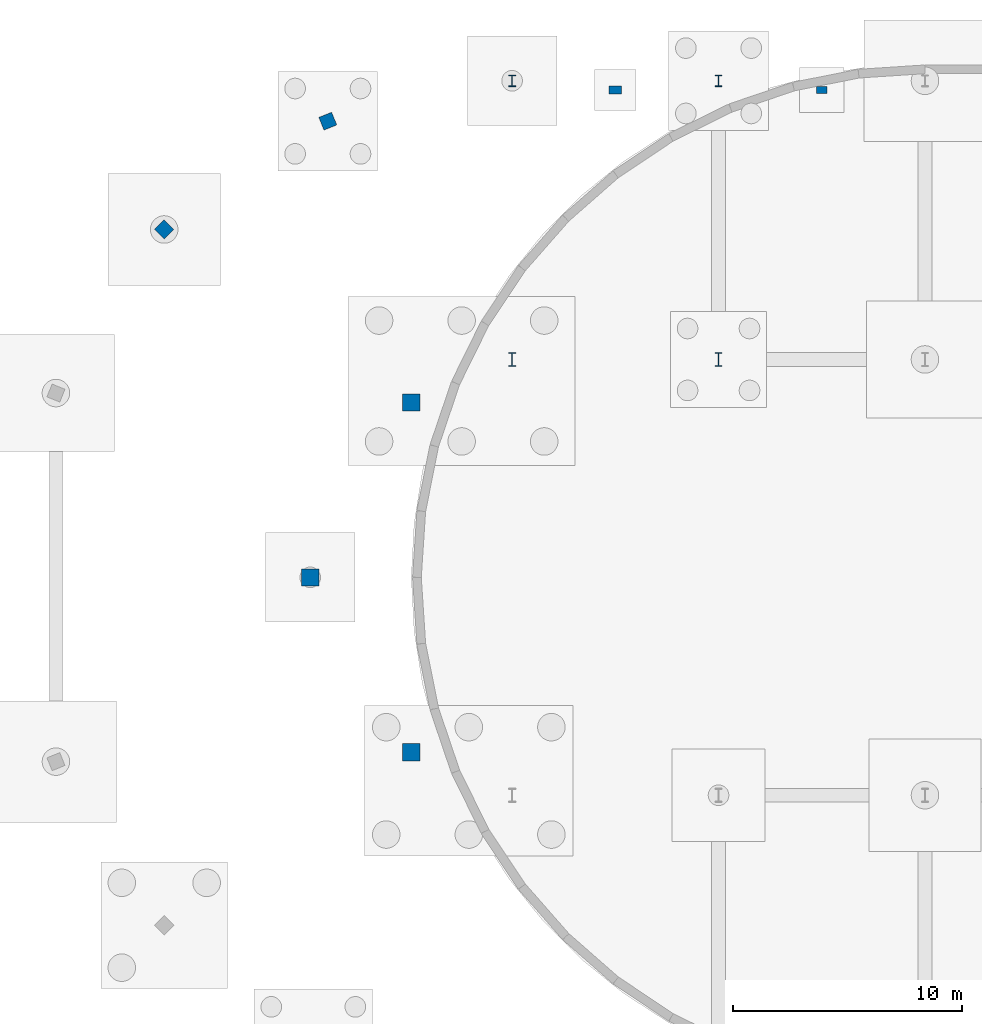
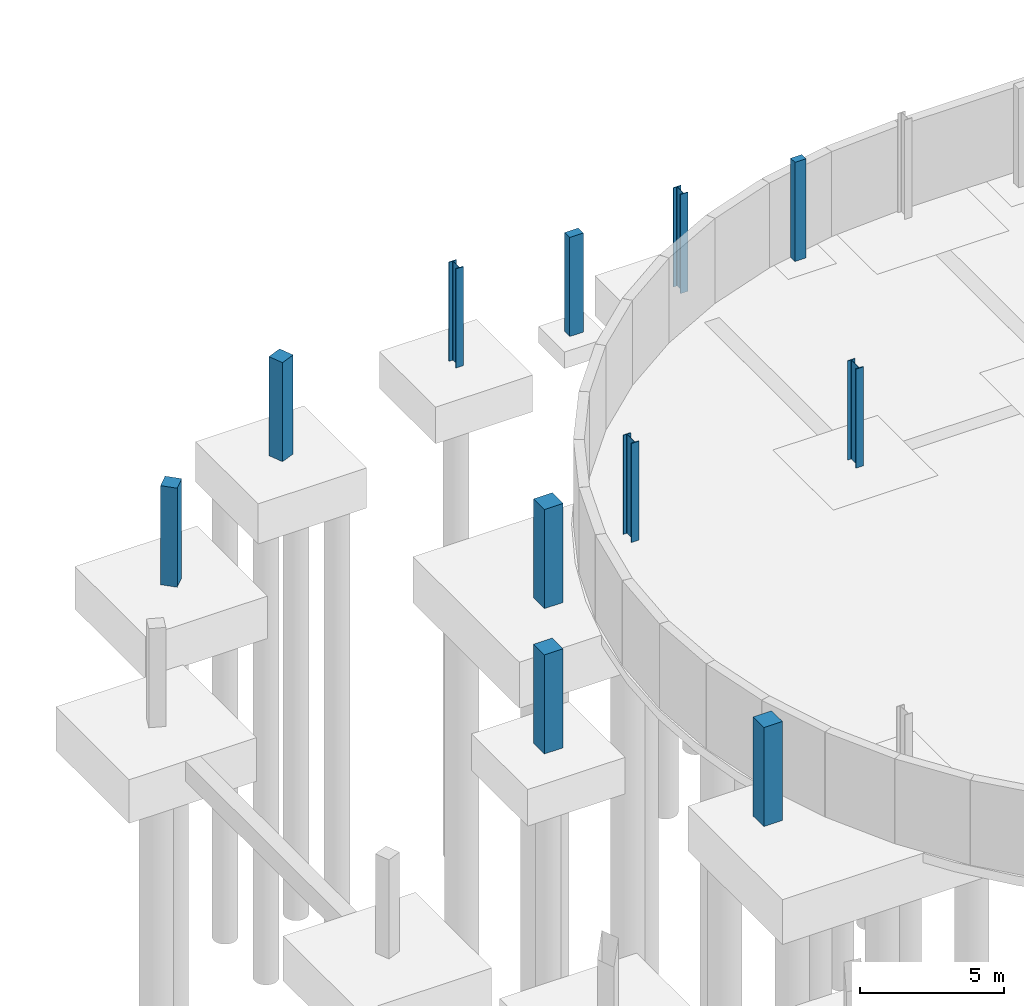
# One storey, part 19 of 42: 11 columns.
"""IFC4 building model written with IfcOpenShell, lengths in metres."""

from ifc_helpers import new_model, si_unit, direction, frame, origin, origin_2d, place, context, subcontext, project, spatial, rectangle, i_section, extrude, material, material_profile, profile_set, type_object, element, save


model = new_model("IFC4")

# Units and contexts
model_context = context("Model", 3, precision=1e-05, world=origin(), true_north=direction((0.0, 1.0)))
body_context = subcontext(model_context, "Body", "Model", "MODEL_VIEW")
ifc_project = project(units=[si_unit("LENGTHUNIT", "METRE"), si_unit("AREAUNIT", "SQUARE_METRE"), si_unit("VOLUMEUNIT", "CUBIC_METRE"), si_unit("PLANEANGLEUNIT", "RADIAN"), si_unit("MASSUNIT", "GRAM", prefix="KILO")], contexts=[model_context])

# Site, building, storey
site_placement = place(None, origin())
site = spatial("IfcSite", under=ifc_project, at=site_placement, CompositionType="ELEMENT")
building_placement = place(site_placement, origin())
building = spatial("IfcBuilding", under=site, at=building_placement, Name="Deido Ridge Mobility Hub", CompositionType="ELEMENT")
storey_placement = place(building_placement, frame((0.0, 0.0, -4.199951171875)))
storey = spatial("IfcBuildingStorey", under=building, at=storey_placement, Name="B1", CompositionType="ELEMENT", Elevation=-4.199951171875)

# Columns
ifc_material_1 = material(Name="Steel S355J2 EN 10025-2", Category="steel")
ifc_material_profile_1 = material_profile(ifc_material_1, i_section(OverallWidth=0.300048828125, OverallDepth=0.5, WebThickness=0.014404296875, FlangeThickness=0.028076171875, FilletRadius=0.027099609375, at=origin_2d()), Name="HEB 500")
ifc_profile_set_1 = profile_set([ifc_material_profile_1], Name="Steel S355J2 EN 10025-2")
column_type_1 = type_object("IfcColumnType", Name="COL-HEB500", PredefinedType="COLUMN", material=ifc_profile_set_1)
for number, where, z_axis, x_axis, name in (
    (1, (45.0, 125.14990234375, 0.0), (0.0, 0.0, 1.0), (1.0, 0.0, 0.0), "Structural column C5"),
    (2, (54.0, 125.14990234375, 0.0), (0.0, 0.0, 1.0), (1.0, 0.0, 0.0), "Structural column C5"),
):
    element("IfcColumn", number, at=place(storey_placement, frame(where, z_axis=z_axis, x_axis=x_axis)), inside=storey, type_object=column_type_1, Name=name, PredefinedType="COLUMN", context=body_context, shape_type="SweptSolid", body=[
        extrude(i_section(OverallWidth=0.300048828125, OverallDepth=0.5, WebThickness=0.014404296875, FlangeThickness=0.028076171875, FilletRadius=0.027099609375, at=origin_2d()), origin(), (0.0, 0.0, 1.0), 4.199951171875),
    ])
ifc_material_profile_2 = material_profile(ifc_material_1, i_section(OverallWidth=0.300048828125, OverallDepth=0.60009765625, WebThickness=0.015380859375, FlangeThickness=0.030029296875, FilletRadius=0.027099609375, at=origin_2d()), Name="HEB 600")
ifc_profile_set_2 = profile_set([ifc_material_profile_2], Name="Steel S355J2 EN 10025-2")
column_type_2 = type_object("IfcColumnType", Name="COL-HEB600", PredefinedType="COLUMN", material=ifc_profile_set_2)
for number, where, z_axis, x_axis, name in (
    (3, (45.0, 113.0, 0.0), (0.0, 0.0, 1.0), (1.0, 0.0, 0.0), "Structural column C4"),
    (4, (54.0, 113.0, 0.0), (0.0, 0.0, 1.0), (1.0, 0.0, 0.0), "Structural column C4"),
):
    element("IfcColumn", number, at=place(storey_placement, frame(where, z_axis=z_axis, x_axis=x_axis)), inside=storey, type_object=column_type_2, Name=name, PredefinedType="COLUMN", context=body_context, shape_type="SweptSolid", body=[
        extrude(i_section(OverallWidth=0.300048828125, OverallDepth=0.60009765625, WebThickness=0.015380859375, FlangeThickness=0.030029296875, FilletRadius=0.027099609375, at=origin_2d()), origin(), (0.0, 0.0, 1.0), 4.199951171875),
    ])
ifc_material_2 = material(Name="Concrete C40/50", Category="concrete")
ifc_material_profile_3 = material_profile(ifc_material_2, rectangle(XDim=0.60009765625, YDim=0.60009765625, at=origin_2d()), Name="RC COL 600x600")
ifc_profile_set_3 = profile_set([ifc_material_profile_3], Name="Concrete C40/50")
column_type_3 = type_object("IfcColumnType", Name="COL-RC600", PredefinedType="COLUMN", material=ifc_profile_set_3)
for number, where, z_axis, x_axis, name in (
    (5, (36.964599609375, 123.38818359375, 0.0), (0.0, 0.0, 1.0), (-0.374606593416, 0.927183854567, 0.0), "Structural column RC2"),
    (6, (29.83251953125, 118.66748046875, 0.0), (0.0, 0.0, 1.0), (-0.707106781187, 0.707106781187, 0.0), "Structural column RC2"),
):
    element("IfcColumn", number, at=place(storey_placement, frame(where, z_axis=z_axis, x_axis=x_axis)), inside=storey, type_object=column_type_3, Name=name, PredefinedType="COLUMN", context=body_context, shape_type="SweptSolid", body=[
        extrude(rectangle(XDim=0.60009765625, YDim=0.60009765625, at=origin_2d()), origin(), (0.0, 0.0, 1.0), 4.199951171875),
    ])
ifc_material_profile_4 = material_profile(ifc_material_2, rectangle(XDim=0.75, YDim=0.75, at=origin_2d()), Name="RC COL 750x750")
ifc_profile_set_4 = profile_set([ifc_material_profile_4], Name="Concrete C40/50")
column_type_4 = type_object("IfcColumnType", Name="COL-RC750", PredefinedType="COLUMN", material=ifc_profile_set_4)
for number, where, z_axis, x_axis, name in (
    (7, (40.60009765625, 111.12109375, 0.0), (0.0, 0.0, 1.0), (1.0, 0.0, 0.0), "Structural column RC1"),
    (8, (36.199951171875, 103.5, 0.0), (0.0, 0.0, 1.0), (1.0, 0.0, 0.0), "Structural column RC1"),
    (9, (40.60009765625, 95.87890625, 0.0), (0.0, 0.0, 1.0), (1.0, 0.0, 0.0), "Structural column RC1"),
):
    element("IfcColumn", number, at=place(storey_placement, frame(where, z_axis=z_axis, x_axis=x_axis)), inside=storey, type_object=column_type_4, Name=name, PredefinedType="COLUMN", context=body_context, shape_type="SweptSolid", body=[
        extrude(rectangle(XDim=0.75, YDim=0.75, at=origin_2d()), origin(), (0.0, 0.0, 1.0), 4.199951171875),
    ])
ifc_material_profile_5 = material_profile(ifc_material_2, rectangle(XDim=0.449951171875, YDim=0.300048828125, at=origin_2d()), Name="RC PILASTER 450x300")
ifc_profile_set_5 = profile_set([ifc_material_profile_5], Name="Concrete C40/50")
column_type_5 = type_object("IfcColumnType", Name="PIL-RC450", PredefinedType="PILASTER", material=ifc_profile_set_5)
column_1_placement = place(storey_placement, frame((58.5, 124.75, 0.0), z_axis=(0.0, 0.0, 1.0), x_axis=(1.0, 0.0, 0.0)))
element("IfcColumn", 10, at=column_1_placement, inside=storey, type_object=column_type_5, Name="Structural column PL2", PredefinedType="PILASTER", context=body_context, shape_type="SweptSolid", body=[
    extrude(rectangle(XDim=0.449951171875, YDim=0.300048828125, at=origin_2d()), origin(), (0.0, 0.0, 1.0), 4.199951171875),
])
ifc_material_profile_6 = material_profile(ifc_material_2, rectangle(XDim=0.550048828125, YDim=0.35009765625, at=origin_2d()), Name="RC PILASTER 550x350")
ifc_profile_set_6 = profile_set([ifc_material_profile_6], Name="Concrete C40/50")
column_type_6 = type_object("IfcColumnType", Name="PIL-RC550", PredefinedType="PILASTER", material=ifc_profile_set_6)
column_2_placement = place(storey_placement, frame((49.5, 124.75, 0.0), z_axis=(0.0, 0.0, 1.0), x_axis=(1.0, 0.0, 0.0)))
element("IfcColumn", 11, at=column_2_placement, inside=storey, type_object=column_type_6, Name="Structural column PL1", PredefinedType="PILASTER", context=body_context, shape_type="SweptSolid", body=[
    extrude(rectangle(XDim=0.550048828125, YDim=0.35009765625, at=origin_2d()), origin(), (0.0, 0.0, 1.0), 4.199951171875),
])

save(model, "model.ifc")
